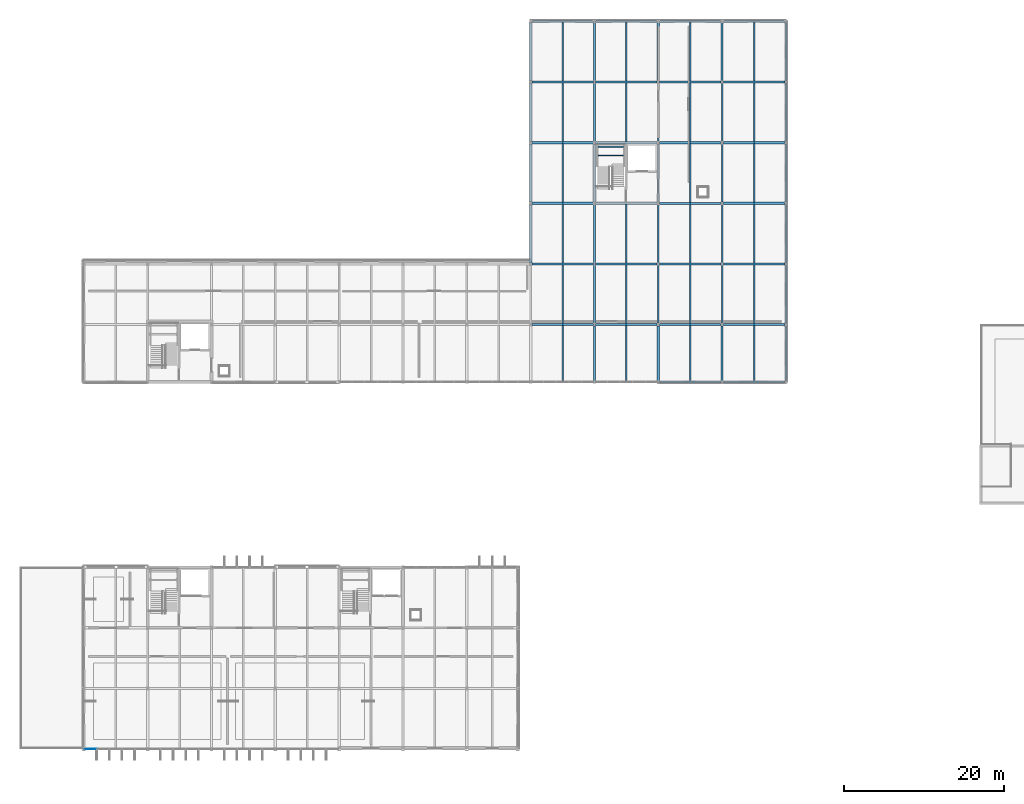
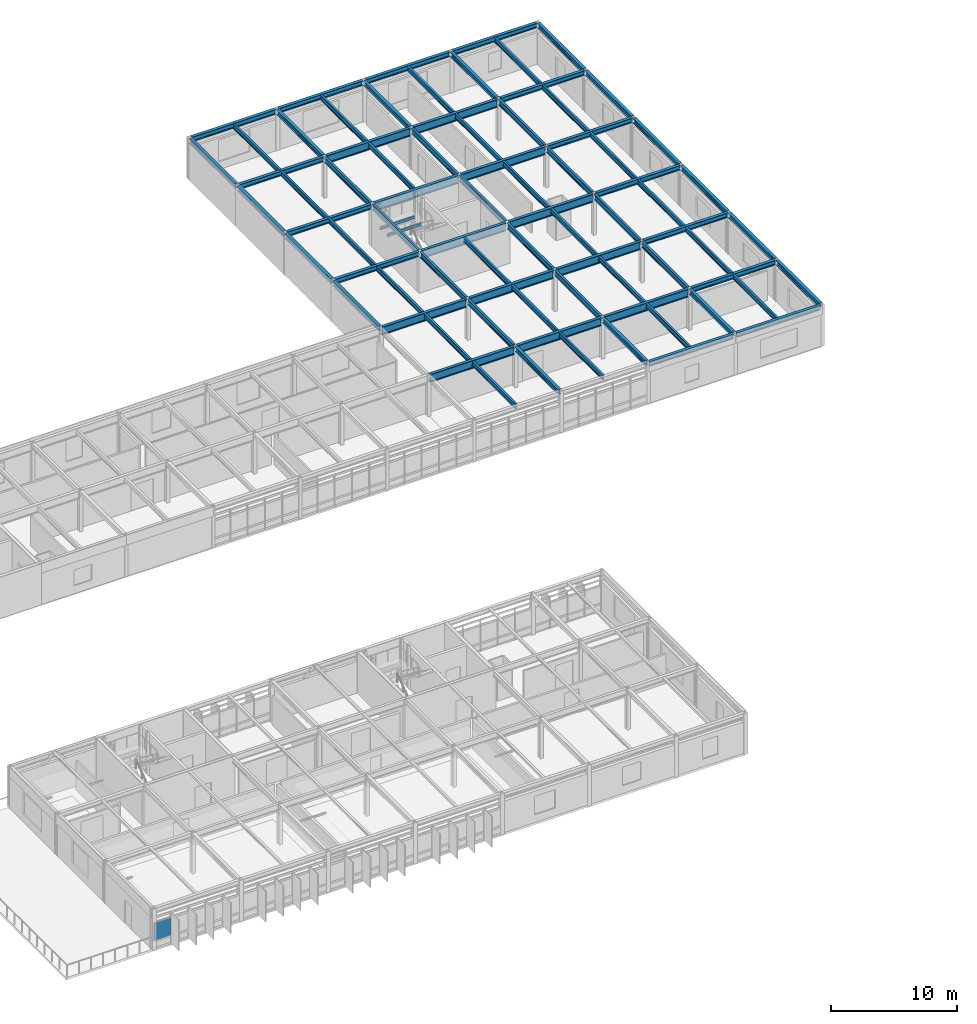
# One storey, part 27 of 45: 79 beams, 1 plate, 1 element without a shape of its own.
"""IFC4 building model written with IfcOpenShell, lengths in metres."""

from ifc_helpers import new_model, si_unit, direction, frame, origin, origin_2d, place, context, subcontext, project, spatial, rectangle, i_section, extrude, material, layer, layer_set, material_profile, profile_set, type_object, element, aggregate, save


model = new_model("IFC4")

# Units and contexts
model_context = context("Model", 3, precision=1e-05, world=origin(), true_north=direction((0.0, 1.0)))
body_context = subcontext(model_context, "Body", "Model", "MODEL_VIEW")
ifc_project = project(units=[si_unit("LENGTHUNIT", "METRE"), si_unit("AREAUNIT", "SQUARE_METRE"), si_unit("VOLUMEUNIT", "CUBIC_METRE"), si_unit("PLANEANGLEUNIT", "RADIAN"), si_unit("MASSUNIT", "GRAM", prefix="KILO")], contexts=[model_context])

# Site, building, storey
site_placement = place(None, origin())
site = spatial("IfcSite", under=ifc_project, at=site_placement, CompositionType="ELEMENT")
building_placement = place(site_placement, origin())
building = spatial("IfcBuilding", under=site, at=building_placement, Name="Zulena Civic Courthouse", CompositionType="ELEMENT")
storey_placement = place(building_placement, frame((0.0, 0.0, 29.39990234375)))
storey = spatial("IfcBuildingStorey", under=building, at=storey_placement, Name="L06", CompositionType="ELEMENT", Elevation=29.39990234375)

# Beams
ifc_material_1 = material(Name="Steel ASTM A992 Grade 50", Category="steel")
ifc_material_profile_1 = material_profile(ifc_material_1, i_section(OverallWidth=0.2099609375, OverallDepth=0.537109375, WebThickness=0.010986328125, FlangeThickness=0.017333984375, FilletRadius=0.0126953125, at=origin_2d()), Name="W21X68")
ifc_profile_set_1 = profile_set([ifc_material_profile_1], Name="Steel ASTM A992 Grade 50")
beam_type_1 = type_object("IfcBeamType", Name="Girder_W21X68", PredefinedType="BEAM", material=ifc_profile_set_1)
beam_1_placement = place(storey_placement, frame((76.0, 53.344970703125, 3.731689453125), z_axis=(0.0, 1.0, 0.0), x_axis=(-1.0, 0.0, 0.0)))
element("IfcBeam", 1, at=beam_1_placement, inside=storey, type_object=beam_type_1, Name="beam:Y:V5:L06:76.0:53.2_60.8", PredefinedType="BEAM", context=body_context, shape_type="SweptSolid", body=[
    extrude(i_section(OverallWidth=0.2099609375, OverallDepth=0.537109375, WebThickness=0.010986328125, FlangeThickness=0.017333984375, FilletRadius=0.0126953125, at=origin_2d()), origin(), (0.0, 0.0, 1.0), 7.31005859375),
])
beam_2_placement = place(storey_placement, frame((76.0, 60.945068359375, 3.731689453125), z_axis=(0.0, 1.0, 0.0), x_axis=(-1.0, 0.0, 0.0)))
element("IfcBeam", 2, at=beam_2_placement, inside=storey, type_object=beam_type_1, Name="beam:Y:V5:L06:76.0:60.8_68.4", PredefinedType="BEAM", context=body_context, shape_type="SweptSolid", body=[
    extrude(i_section(OverallWidth=0.2099609375, OverallDepth=0.537109375, WebThickness=0.010986328125, FlangeThickness=0.017333984375, FilletRadius=0.0126953125, at=origin_2d()), origin(), (0.0, 0.0, 1.0), 7.309814453125),
])
for number, where, z_axis, x_axis, name in (
    (3, (76.0, 68.544921875, 3.731689453125), (0.0, 1.0, 0.0), (-1.0, 0.0, 0.0), "beam:Y:V5:L06:76.0:68.4_76.0"),
    (4, (76.0, 76.14501953125, 3.731689453125), (0.0, 1.0, 0.0), (-1.0, 0.0, 0.0), "beam:Y:V5:L06:76.0:76.0_83.6"),
    (5, (84.0, 53.344970703125, 3.731689453125), (0.0, 1.0, 0.0), (-1.0, 0.0, 0.0), "beam:Y:V5:L06:84.0:53.2_60.8"),
):
    element("IfcBeam", number, at=place(storey_placement, frame(where, z_axis=z_axis, x_axis=x_axis)), inside=storey, type_object=beam_type_1, Name=name, PredefinedType="BEAM", context=body_context, shape_type="SweptSolid", body=[
        extrude(i_section(OverallWidth=0.2099609375, OverallDepth=0.537109375, WebThickness=0.010986328125, FlangeThickness=0.017333984375, FilletRadius=0.0126953125, at=origin_2d()), origin(), (0.0, 0.0, 1.0), 7.31005859375),
    ])
beam_3_placement = place(storey_placement, frame((84.0, 60.945068359375, 3.731689453125), z_axis=(0.0, 1.0, 0.0), x_axis=(-1.0, 0.0, 0.0)))
element("IfcBeam", 6, at=beam_3_placement, inside=storey, type_object=beam_type_1, Name="beam:Y:V5:L06:84.0:60.8_68.4", PredefinedType="BEAM", context=body_context, shape_type="SweptSolid", body=[
    extrude(i_section(OverallWidth=0.2099609375, OverallDepth=0.537109375, WebThickness=0.010986328125, FlangeThickness=0.017333984375, FilletRadius=0.0126953125, at=origin_2d()), origin(), (0.0, 0.0, 1.0), 7.309814453125),
])
for number, where, z_axis, x_axis, name in (
    (7, (84.0, 68.544921875, 3.731689453125), (0.0, 1.0, 0.0), (-1.0, 0.0, 0.0), "beam:Y:V5:L06:84.0:68.4_76.0"),
    (8, (84.0, 76.14501953125, 3.731689453125), (0.0, 1.0, 0.0), (-1.0, 0.0, 0.0), "beam:Y:V5:L06:84.0:76.0_83.6"),
    (9, (92.0, 53.344970703125, 3.731689453125), (0.0, 1.0, 0.0), (-1.0, 0.0, 0.0), "beam:Y:V5:L06:92.0:53.2_60.8"),
):
    element("IfcBeam", number, at=place(storey_placement, frame(where, z_axis=z_axis, x_axis=x_axis)), inside=storey, type_object=beam_type_1, Name=name, PredefinedType="BEAM", context=body_context, shape_type="SweptSolid", body=[
        extrude(i_section(OverallWidth=0.2099609375, OverallDepth=0.537109375, WebThickness=0.010986328125, FlangeThickness=0.017333984375, FilletRadius=0.0126953125, at=origin_2d()), origin(), (0.0, 0.0, 1.0), 7.31005859375),
    ])
beam_4_placement = place(storey_placement, frame((92.0, 60.945068359375, 3.731689453125), z_axis=(0.0, 1.0, 0.0), x_axis=(-1.0, 0.0, 0.0)))
element("IfcBeam", 10, at=beam_4_placement, inside=storey, type_object=beam_type_1, Name="beam:Y:V5:L06:92.0:60.8_68.4", PredefinedType="BEAM", context=body_context, shape_type="SweptSolid", body=[
    extrude(i_section(OverallWidth=0.2099609375, OverallDepth=0.537109375, WebThickness=0.010986328125, FlangeThickness=0.017333984375, FilletRadius=0.0126953125, at=origin_2d()), origin(), (0.0, 0.0, 1.0), 7.309814453125),
])
for number, where, z_axis, x_axis, name in (
    (11, (92.0, 68.544921875, 3.731689453125), (0.0, 1.0, 0.0), (-1.0, 0.0, 0.0), "beam:Y:V5:L06:92.0:68.4_76.0"),
    (12, (92.0, 76.14501953125, 3.731689453125), (0.0, 1.0, 0.0), (-1.0, 0.0, 0.0), "beam:Y:V5:L06:92.0:76.0_83.6"),
):
    element("IfcBeam", number, at=place(storey_placement, frame(where, z_axis=z_axis, x_axis=x_axis)), inside=storey, type_object=beam_type_1, Name=name, PredefinedType="BEAM", context=body_context, shape_type="SweptSolid", body=[
        extrude(i_section(OverallWidth=0.2099609375, OverallDepth=0.537109375, WebThickness=0.010986328125, FlangeThickness=0.017333984375, FilletRadius=0.0126953125, at=origin_2d()), origin(), (0.0, 0.0, 1.0), 7.31005859375),
    ])
ifc_material_profile_2 = material_profile(ifc_material_1, i_section(OverallWidth=0.26611328125, OverallDepth=0.779052734375, WebThickness=0.0166015625, FlangeThickness=0.030029296875, FilletRadius=0.0166015625, at=origin_2d()), Name="W30X148")
ifc_profile_set_2 = profile_set([ifc_material_profile_2], Name="Steel ASTM A992 Grade 50")
beam_type_2 = type_object("IfcBeamType", Name="Girder_W30X148", PredefinedType="BEAM", material=ifc_profile_set_2)
for number, where, z_axis, x_axis, name in (
    (13, (68.14501953125, 53.199951171875, 3.610595703125), (1.0, 0.0, 0.0), (0.0, 1.0, 0.0), "beam:X:V5:L06:53.2:68.0_76.0"),
    (14, (76.14501953125, 53.199951171875, 3.610595703125), (1.0, 0.0, 0.0), (0.0, 1.0, 0.0), "beam:X:V5:L06:53.2:76.0_84.0"),
    (15, (84.14501953125, 53.199951171875, 3.610595703125), (1.0, 0.0, 0.0), (0.0, 1.0, 0.0), "beam:X:V5:L06:53.2:84.0_92.0"),
    (16, (68.14501953125, 60.800048828125, 3.610595703125), (1.0, 0.0, 0.0), (0.0, 1.0, 0.0), "beam:X:V5:L06:60.8:68.0_76.0"),
    (17, (76.14501953125, 60.800048828125, 3.610595703125), (1.0, 0.0, 0.0), (0.0, 1.0, 0.0), "beam:X:V5:L06:60.8:76.0_84.0"),
    (18, (84.14501953125, 60.800048828125, 3.610595703125), (1.0, 0.0, 0.0), (0.0, 1.0, 0.0), "beam:X:V5:L06:60.8:84.0_92.0"),
    (19, (76.14501953125, 68.39990234375, 3.610595703125), (1.0, 0.0, 0.0), (0.0, 1.0, 0.0), "beam:X:V5:L06:68.4:76.0_84.0"),
    (20, (84.14501953125, 68.39990234375, 3.610595703125), (1.0, 0.0, 0.0), (0.0, 1.0, 0.0), "beam:X:V5:L06:68.4:84.0_92.0"),
    (21, (76.14501953125, 76.0, 3.610595703125), (1.0, 0.0, 0.0), (0.0, 1.0, 0.0), "beam:X:V5:L06:76.0:76.0_84.0"),
    (22, (84.14501953125, 76.0, 3.610595703125), (1.0, 0.0, 0.0), (0.0, 1.0, 0.0), "beam:X:V5:L06:76.0:84.0_92.0"),
    (23, (76.14501953125, 83.60009765625, 3.610595703125), (1.0, 0.0, 0.0), (0.0, 1.0, 0.0), "beam:X:V5:L06:83.6:76.0_84.0"),
    (24, (84.14501953125, 83.60009765625, 3.610595703125), (1.0, 0.0, 0.0), (0.0, 1.0, 0.0), "beam:X:V5:L06:83.6:84.0_92.0"),
):
    element("IfcBeam", number, at=place(storey_placement, frame(where, z_axis=z_axis, x_axis=x_axis)), inside=storey, type_object=beam_type_2, Name=name, PredefinedType="BEAM", context=body_context, shape_type="SweptSolid", body=[
        extrude(i_section(OverallWidth=0.26611328125, OverallDepth=0.779052734375, WebThickness=0.0166015625, FlangeThickness=0.030029296875, FilletRadius=0.0166015625, at=origin_2d()), origin(), (0.0, 0.0, 1.0), 7.7099609375),
    ])
ifc_material_profile_3 = material_profile(ifc_material_1, i_section(OverallWidth=0.14599609375, OverallDepth=0.258056640625, WebThickness=0.006103515625, FlangeThickness=0.009033203125, FilletRadius=0.007568359375, at=origin_2d()), Name="W10X22")
ifc_profile_set_3 = profile_set([ifc_material_profile_3], Name="Steel ASTM A992 Grade 50")
beam_type_3 = type_object("IfcBeamType", Name="Joist_W10X22", PredefinedType="JOIST", material=ifc_profile_set_3)
for number, where, z_axis, x_axis, name in (
    (25, (76.419921875, 74.39990234375, 1.691162109375), (1.0, 0.0, 0.0), (0.0, 1.0, 0.0), "beam:lnd:K5B:L06:0"),
    (26, (76.419921875, 75.5, 1.691162109375), (1.0, 0.0, 0.0), (0.0, 1.0, 0.0), "beam:lnd:K5B:L06:1"),
):
    element("IfcBeam", number, at=place(storey_placement, frame(where, z_axis=z_axis, x_axis=x_axis)), inside=storey, type_object=beam_type_3, Name=name, PredefinedType="JOIST", context=body_context, shape_type="SweptSolid", body=[
        extrude(i_section(OverallWidth=0.14599609375, OverallDepth=0.258056640625, WebThickness=0.006103515625, FlangeThickness=0.009033203125, FilletRadius=0.007568359375, at=origin_2d()), origin(), (0.0, 0.0, 1.0), 3.2001953125),
    ])
ifc_material_profile_4 = material_profile(ifc_material_1, i_section(OverallWidth=0.19091796875, OverallDepth=0.4599609375, WebThickness=0.010009765625, FlangeThickness=0.01611328125, FilletRadius=0.01025390625, at=origin_2d()), Name="W18X55")
ifc_profile_set_4 = profile_set([ifc_material_profile_4], Name="Steel ASTM A992 Grade 50")
beam_type_4 = type_object("IfcBeamType", Name="Joist_W18X55", PredefinedType="JOIST", material=ifc_profile_set_4)
beam_5_placement = place(storey_placement, frame((72.0, 46.10498046875, 3.77001953125), z_axis=(0.0, 1.0, 0.0), x_axis=(-1.0, 0.0, 0.0)))
element("IfcBeam", 27, at=beam_5_placement, inside=storey, type_object=beam_type_4, Name="joist:V5:L06:72.00:46.0_53.2", PredefinedType="JOIST", context=body_context, shape_type="SweptSolid", body=[
    extrude(i_section(OverallWidth=0.19091796875, OverallDepth=0.4599609375, WebThickness=0.010009765625, FlangeThickness=0.01611328125, FilletRadius=0.01025390625, at=origin_2d()), origin(), (0.0, 0.0, 1.0), 6.989990234375),
])
beam_6_placement = place(storey_placement, frame((72.0, 53.304931640625, 3.77001953125), z_axis=(0.0, 1.0, 0.0), x_axis=(-1.0, 0.0, 0.0)))
element("IfcBeam", 28, at=beam_6_placement, inside=storey, type_object=beam_type_4, Name="joist:V5:L06:72.00:53.2_60.8", PredefinedType="JOIST", context=body_context, shape_type="SweptSolid", body=[
    extrude(i_section(OverallWidth=0.19091796875, OverallDepth=0.4599609375, WebThickness=0.010009765625, FlangeThickness=0.01611328125, FilletRadius=0.01025390625, at=origin_2d()), origin(), (0.0, 0.0, 1.0), 7.39013671875),
])
beam_7_placement = place(storey_placement, frame((72.0, 60.905029296875, 3.77001953125), z_axis=(0.0, 1.0, 0.0), x_axis=(-1.0, 0.0, 0.0)))
element("IfcBeam", 29, at=beam_7_placement, inside=storey, type_object=beam_type_4, Name="joist:V5:L06:72.00:60.8_68.4", PredefinedType="JOIST", context=body_context, shape_type="SweptSolid", body=[
    extrude(i_section(OverallWidth=0.19091796875, OverallDepth=0.4599609375, WebThickness=0.010009765625, FlangeThickness=0.01611328125, FilletRadius=0.01025390625, at=origin_2d()), origin(), (0.0, 0.0, 1.0), 7.389892578125),
])
for number, where, z_axis, x_axis, name in (
    (30, (72.0, 68.5048828125, 3.77001953125), (0.0, 1.0, 0.0), (-1.0, 0.0, 0.0), "joist:V5:L06:72.00:68.4_76.0"),
    (31, (72.0, 76.10498046875, 3.77001953125), (0.0, 1.0, 0.0), (-1.0, 0.0, 0.0), "joist:V5:L06:72.00:76.0_83.6"),
):
    element("IfcBeam", number, at=place(storey_placement, frame(where, z_axis=z_axis, x_axis=x_axis)), inside=storey, type_object=beam_type_4, Name=name, PredefinedType="JOIST", context=body_context, shape_type="SweptSolid", body=[
        extrude(i_section(OverallWidth=0.19091796875, OverallDepth=0.4599609375, WebThickness=0.010009765625, FlangeThickness=0.01611328125, FilletRadius=0.01025390625, at=origin_2d()), origin(), (0.0, 0.0, 1.0), 7.39013671875),
    ])
beam_8_placement = place(storey_placement, frame((72.0, 83.705078125, 3.77001953125), z_axis=(0.0, 1.0, 0.0), x_axis=(-1.0, 0.0, 0.0)))
element("IfcBeam", 32, at=beam_8_placement, inside=storey, type_object=beam_type_4, Name="joist:V5:L06:72.00:83.6_91.2", PredefinedType="JOIST", context=body_context, shape_type="SweptSolid", body=[
    extrude(i_section(OverallWidth=0.19091796875, OverallDepth=0.4599609375, WebThickness=0.010009765625, FlangeThickness=0.01611328125, FilletRadius=0.01025390625, at=origin_2d()), origin(), (0.0, 0.0, 1.0), 7.389892578125),
])
beam_9_placement = place(storey_placement, frame((80.0, 46.10498046875, 3.77001953125), z_axis=(0.0, 1.0, 0.0), x_axis=(-1.0, 0.0, 0.0)))
element("IfcBeam", 33, at=beam_9_placement, inside=storey, type_object=beam_type_4, Name="joist:V5:L06:80.00:46.0_53.2", PredefinedType="JOIST", context=body_context, shape_type="SweptSolid", body=[
    extrude(i_section(OverallWidth=0.19091796875, OverallDepth=0.4599609375, WebThickness=0.010009765625, FlangeThickness=0.01611328125, FilletRadius=0.01025390625, at=origin_2d()), origin(), (0.0, 0.0, 1.0), 6.989990234375),
])
beam_10_placement = place(storey_placement, frame((80.0, 53.304931640625, 3.77001953125), z_axis=(0.0, 1.0, 0.0), x_axis=(-1.0, 0.0, 0.0)))
element("IfcBeam", 34, at=beam_10_placement, inside=storey, type_object=beam_type_4, Name="joist:V5:L06:80.00:53.2_60.8", PredefinedType="JOIST", context=body_context, shape_type="SweptSolid", body=[
    extrude(i_section(OverallWidth=0.19091796875, OverallDepth=0.4599609375, WebThickness=0.010009765625, FlangeThickness=0.01611328125, FilletRadius=0.01025390625, at=origin_2d()), origin(), (0.0, 0.0, 1.0), 7.39013671875),
])
beam_11_placement = place(storey_placement, frame((80.0, 60.905029296875, 3.77001953125), z_axis=(0.0, 1.0, 0.0), x_axis=(-1.0, 0.0, 0.0)))
element("IfcBeam", 35, at=beam_11_placement, inside=storey, type_object=beam_type_4, Name="joist:V5:L06:80.00:60.8_68.4", PredefinedType="JOIST", context=body_context, shape_type="SweptSolid", body=[
    extrude(i_section(OverallWidth=0.19091796875, OverallDepth=0.4599609375, WebThickness=0.010009765625, FlangeThickness=0.01611328125, FilletRadius=0.01025390625, at=origin_2d()), origin(), (0.0, 0.0, 1.0), 7.389892578125),
])
beam_12_placement = place(storey_placement, frame((80.0, 76.10498046875, 3.77001953125), z_axis=(0.0, 1.0, 0.0), x_axis=(-1.0, 0.0, 0.0)))
element("IfcBeam", 36, at=beam_12_placement, inside=storey, type_object=beam_type_4, Name="joist:V5:L06:80.00:76.0_83.6", PredefinedType="JOIST", context=body_context, shape_type="SweptSolid", body=[
    extrude(i_section(OverallWidth=0.19091796875, OverallDepth=0.4599609375, WebThickness=0.010009765625, FlangeThickness=0.01611328125, FilletRadius=0.01025390625, at=origin_2d()), origin(), (0.0, 0.0, 1.0), 7.39013671875),
])
beam_13_placement = place(storey_placement, frame((80.0, 83.705078125, 3.77001953125), z_axis=(0.0, 1.0, 0.0), x_axis=(-1.0, 0.0, 0.0)))
element("IfcBeam", 37, at=beam_13_placement, inside=storey, type_object=beam_type_4, Name="joist:V5:L06:80.00:83.6_91.2", PredefinedType="JOIST", context=body_context, shape_type="SweptSolid", body=[
    extrude(i_section(OverallWidth=0.19091796875, OverallDepth=0.4599609375, WebThickness=0.010009765625, FlangeThickness=0.01611328125, FilletRadius=0.01025390625, at=origin_2d()), origin(), (0.0, 0.0, 1.0), 7.389892578125),
])
beam_14_placement = place(storey_placement, frame((88.0, 46.10498046875, 3.77001953125), z_axis=(0.0, 1.0, 0.0), x_axis=(-1.0, 0.0, 0.0)))
element("IfcBeam", 38, at=beam_14_placement, inside=storey, type_object=beam_type_4, Name="joist:V5:L06:88.00:46.0_53.2", PredefinedType="JOIST", context=body_context, shape_type="SweptSolid", body=[
    extrude(i_section(OverallWidth=0.19091796875, OverallDepth=0.4599609375, WebThickness=0.010009765625, FlangeThickness=0.01611328125, FilletRadius=0.01025390625, at=origin_2d()), origin(), (0.0, 0.0, 1.0), 6.989990234375),
])
beam_15_placement = place(storey_placement, frame((88.0, 53.304931640625, 3.77001953125), z_axis=(0.0, 1.0, 0.0), x_axis=(-1.0, 0.0, 0.0)))
element("IfcBeam", 39, at=beam_15_placement, inside=storey, type_object=beam_type_4, Name="joist:V5:L06:88.00:53.2_60.8", PredefinedType="JOIST", context=body_context, shape_type="SweptSolid", body=[
    extrude(i_section(OverallWidth=0.19091796875, OverallDepth=0.4599609375, WebThickness=0.010009765625, FlangeThickness=0.01611328125, FilletRadius=0.01025390625, at=origin_2d()), origin(), (0.0, 0.0, 1.0), 7.39013671875),
])
beam_16_placement = place(storey_placement, frame((88.0, 60.905029296875, 3.77001953125), z_axis=(0.0, 1.0, 0.0), x_axis=(-1.0, 0.0, 0.0)))
element("IfcBeam", 40, at=beam_16_placement, inside=storey, type_object=beam_type_4, Name="joist:V5:L06:88.00:60.8_68.4", PredefinedType="JOIST", context=body_context, shape_type="SweptSolid", body=[
    extrude(i_section(OverallWidth=0.19091796875, OverallDepth=0.4599609375, WebThickness=0.010009765625, FlangeThickness=0.01611328125, FilletRadius=0.01025390625, at=origin_2d()), origin(), (0.0, 0.0, 1.0), 7.389892578125),
])
for number, where, z_axis, x_axis, name in (
    (41, (88.0, 68.5048828125, 3.77001953125), (0.0, 1.0, 0.0), (-1.0, 0.0, 0.0), "joist:V5:L06:88.00:68.4_76.0"),
    (42, (88.0, 76.10498046875, 3.77001953125), (0.0, 1.0, 0.0), (-1.0, 0.0, 0.0), "joist:V5:L06:88.00:76.0_83.6"),
):
    element("IfcBeam", number, at=place(storey_placement, frame(where, z_axis=z_axis, x_axis=x_axis)), inside=storey, type_object=beam_type_4, Name=name, PredefinedType="JOIST", context=body_context, shape_type="SweptSolid", body=[
        extrude(i_section(OverallWidth=0.19091796875, OverallDepth=0.4599609375, WebThickness=0.010009765625, FlangeThickness=0.01611328125, FilletRadius=0.01025390625, at=origin_2d()), origin(), (0.0, 0.0, 1.0), 7.39013671875),
    ])
beam_17_placement = place(storey_placement, frame((88.0, 83.705078125, 3.77001953125), z_axis=(0.0, 1.0, 0.0), x_axis=(-1.0, 0.0, 0.0)))
element("IfcBeam", 43, at=beam_17_placement, inside=storey, type_object=beam_type_4, Name="joist:V5:L06:88.00:83.6_91.2", PredefinedType="JOIST", context=body_context, shape_type="SweptSolid", body=[
    extrude(i_section(OverallWidth=0.19091796875, OverallDepth=0.4599609375, WebThickness=0.010009765625, FlangeThickness=0.01611328125, FilletRadius=0.01025390625, at=origin_2d()), origin(), (0.0, 0.0, 1.0), 7.389892578125),
])
beam_18_placement = place(storey_placement, frame((96.0, 46.10498046875, 3.77001953125), z_axis=(0.0, 1.0, 0.0), x_axis=(-1.0, 0.0, 0.0)))
element("IfcBeam", 44, at=beam_18_placement, inside=storey, type_object=beam_type_4, Name="joist:V5:L06:96.00:46.0_53.2", PredefinedType="JOIST", context=body_context, shape_type="SweptSolid", body=[
    extrude(i_section(OverallWidth=0.19091796875, OverallDepth=0.4599609375, WebThickness=0.010009765625, FlangeThickness=0.01611328125, FilletRadius=0.01025390625, at=origin_2d()), origin(), (0.0, 0.0, 1.0), 6.989990234375),
])
beam_19_placement = place(storey_placement, frame((96.0, 53.304931640625, 3.77001953125), z_axis=(0.0, 1.0, 0.0), x_axis=(-1.0, 0.0, 0.0)))
element("IfcBeam", 45, at=beam_19_placement, inside=storey, type_object=beam_type_4, Name="joist:V5:L06:96.00:53.2_60.8", PredefinedType="JOIST", context=body_context, shape_type="SweptSolid", body=[
    extrude(i_section(OverallWidth=0.19091796875, OverallDepth=0.4599609375, WebThickness=0.010009765625, FlangeThickness=0.01611328125, FilletRadius=0.01025390625, at=origin_2d()), origin(), (0.0, 0.0, 1.0), 7.39013671875),
])
beam_20_placement = place(storey_placement, frame((96.0, 60.905029296875, 3.77001953125), z_axis=(0.0, 1.0, 0.0), x_axis=(-1.0, 0.0, 0.0)))
element("IfcBeam", 46, at=beam_20_placement, inside=storey, type_object=beam_type_4, Name="joist:V5:L06:96.00:60.8_68.4", PredefinedType="JOIST", context=body_context, shape_type="SweptSolid", body=[
    extrude(i_section(OverallWidth=0.19091796875, OverallDepth=0.4599609375, WebThickness=0.010009765625, FlangeThickness=0.01611328125, FilletRadius=0.01025390625, at=origin_2d()), origin(), (0.0, 0.0, 1.0), 7.389892578125),
])
for number, where, z_axis, x_axis, name in (
    (47, (96.0, 68.5048828125, 3.77001953125), (0.0, 1.0, 0.0), (-1.0, 0.0, 0.0), "joist:V5:L06:96.00:68.4_76.0"),
    (48, (96.0, 76.10498046875, 3.77001953125), (0.0, 1.0, 0.0), (-1.0, 0.0, 0.0), "joist:V5:L06:96.00:76.0_83.6"),
):
    element("IfcBeam", number, at=place(storey_placement, frame(where, z_axis=z_axis, x_axis=x_axis)), inside=storey, type_object=beam_type_4, Name=name, PredefinedType="JOIST", context=body_context, shape_type="SweptSolid", body=[
        extrude(i_section(OverallWidth=0.19091796875, OverallDepth=0.4599609375, WebThickness=0.010009765625, FlangeThickness=0.01611328125, FilletRadius=0.01025390625, at=origin_2d()), origin(), (0.0, 0.0, 1.0), 7.39013671875),
    ])
beam_21_placement = place(storey_placement, frame((96.0, 83.705078125, 3.77001953125), z_axis=(0.0, 1.0, 0.0), x_axis=(-1.0, 0.0, 0.0)))
element("IfcBeam", 49, at=beam_21_placement, inside=storey, type_object=beam_type_4, Name="joist:V5:L06:96.00:83.6_91.2", PredefinedType="JOIST", context=body_context, shape_type="SweptSolid", body=[
    extrude(i_section(OverallWidth=0.19091796875, OverallDepth=0.4599609375, WebThickness=0.010009765625, FlangeThickness=0.01611328125, FilletRadius=0.01025390625, at=origin_2d()), origin(), (0.0, 0.0, 1.0), 7.389892578125),
])
ifc_material_profile_5 = material_profile(ifc_material_1, i_section(OverallWidth=0.280029296875, OverallDepth=0.462890625, WebThickness=0.0107421875, FlangeThickness=0.017333984375, FilletRadius=0.01025390625, at=origin_2d()), Name="W18X76")
ifc_profile_set_5 = profile_set([ifc_material_profile_5], Name="Steel ASTM A992 Grade 50")
beam_type_5 = type_object("IfcBeamType", Name="Spandrel_W18X76", PredefinedType="SPANDREL", material=ifc_profile_set_5)
for number, where, z_axis, x_axis, name in (
    (50, (84.14501953125, 46.0, 3.7685546875), (1.0, 0.0, 0.0), (0.0, 1.0, 0.0), "beam:X:V5:L06:46.0:84.0_92.0"),
    (51, (92.14501953125, 46.0, 3.7685546875), (1.0, 0.0, 0.0), (0.0, 1.0, 0.0), "beam:X:V5:L06:46.0:92.0_100.0"),
    (52, (92.14501953125, 53.199951171875, 3.7685546875), (1.0, 0.0, 0.0), (0.0, 1.0, 0.0), "beam:X:V5:L06:53.2:92.0_100.0"),
    (53, (92.14501953125, 60.800048828125, 3.7685546875), (1.0, 0.0, 0.0), (0.0, 1.0, 0.0), "beam:X:V5:L06:60.8:92.0_100.0"),
    (54, (68.14501953125, 68.39990234375, 3.7685546875), (1.0, 0.0, 0.0), (0.0, 1.0, 0.0), "beam:X:V5:L06:68.4:68.0_76.0"),
    (55, (92.14501953125, 68.39990234375, 3.7685546875), (1.0, 0.0, 0.0), (0.0, 1.0, 0.0), "beam:X:V5:L06:68.4:92.0_100.0"),
    (56, (68.14501953125, 76.0, 3.7685546875), (1.0, 0.0, 0.0), (0.0, 1.0, 0.0), "beam:X:V5:L06:76.0:68.0_76.0"),
    (57, (92.14501953125, 76.0, 3.7685546875), (1.0, 0.0, 0.0), (0.0, 1.0, 0.0), "beam:X:V5:L06:76.0:92.0_100.0"),
    (58, (68.14501953125, 83.60009765625, 3.7685546875), (1.0, 0.0, 0.0), (0.0, 1.0, 0.0), "beam:X:V5:L06:83.6:68.0_76.0"),
    (59, (92.14501953125, 83.60009765625, 3.7685546875), (1.0, 0.0, 0.0), (0.0, 1.0, 0.0), "beam:X:V5:L06:83.6:92.0_100.0"),
    (60, (68.14501953125, 91.199951171875, 3.7685546875), (1.0, 0.0, 0.0), (0.0, 1.0, 0.0), "beam:X:V5:L06:91.2:68.0_76.0"),
    (61, (76.14501953125, 91.199951171875, 3.7685546875), (1.0, 0.0, 0.0), (0.0, 1.0, 0.0), "beam:X:V5:L06:91.2:76.0_84.0"),
    (62, (84.14501953125, 91.199951171875, 3.7685546875), (1.0, 0.0, 0.0), (0.0, 1.0, 0.0), "beam:X:V5:L06:91.2:84.0_92.0"),
    (63, (92.14501953125, 91.199951171875, 3.7685546875), (1.0, 0.0, 0.0), (0.0, 1.0, 0.0), "beam:X:V5:L06:91.2:92.0_100.0"),
):
    element("IfcBeam", number, at=place(storey_placement, frame(where, z_axis=z_axis, x_axis=x_axis)), inside=storey, type_object=beam_type_5, Name=name, PredefinedType="SPANDREL", context=body_context, shape_type="SweptSolid", body=[
        extrude(i_section(OverallWidth=0.280029296875, OverallDepth=0.462890625, WebThickness=0.0107421875, FlangeThickness=0.017333984375, FilletRadius=0.01025390625, at=origin_2d()), origin(), (0.0, 0.0, 1.0), 7.7099609375),
    ])
beam_22_placement = place(storey_placement, frame((68.0, 60.945068359375, 3.7685546875), z_axis=(0.0, 1.0, 0.0), x_axis=(-1.0, 0.0, 0.0)))
element("IfcBeam", 64, at=beam_22_placement, inside=storey, type_object=beam_type_5, Name="beam:Y:V5:L06:68.0:60.8_68.4", PredefinedType="SPANDREL", context=body_context, shape_type="SweptSolid", body=[
    extrude(i_section(OverallWidth=0.280029296875, OverallDepth=0.462890625, WebThickness=0.0107421875, FlangeThickness=0.017333984375, FilletRadius=0.01025390625, at=origin_2d()), origin(), (0.0, 0.0, 1.0), 7.309814453125),
])
for number, where, z_axis, x_axis, name in (
    (65, (68.0, 68.544921875, 3.7685546875), (0.0, 1.0, 0.0), (-1.0, 0.0, 0.0), "beam:Y:V5:L06:68.0:68.4_76.0"),
    (66, (68.0, 76.14501953125, 3.7685546875), (0.0, 1.0, 0.0), (-1.0, 0.0, 0.0), "beam:Y:V5:L06:68.0:76.0_83.6"),
):
    element("IfcBeam", number, at=place(storey_placement, frame(where, z_axis=z_axis, x_axis=x_axis)), inside=storey, type_object=beam_type_5, Name=name, PredefinedType="SPANDREL", context=body_context, shape_type="SweptSolid", body=[
        extrude(i_section(OverallWidth=0.280029296875, OverallDepth=0.462890625, WebThickness=0.0107421875, FlangeThickness=0.017333984375, FilletRadius=0.01025390625, at=origin_2d()), origin(), (0.0, 0.0, 1.0), 7.31005859375),
    ])
beam_23_placement = place(storey_placement, frame((68.0, 83.7451171875, 3.7685546875), z_axis=(0.0, 1.0, 0.0), x_axis=(-1.0, 0.0, 0.0)))
element("IfcBeam", 67, at=beam_23_placement, inside=storey, type_object=beam_type_5, Name="beam:Y:V5:L06:68.0:83.6_91.2", PredefinedType="SPANDREL", context=body_context, shape_type="SweptSolid", body=[
    extrude(i_section(OverallWidth=0.280029296875, OverallDepth=0.462890625, WebThickness=0.0107421875, FlangeThickness=0.017333984375, FilletRadius=0.01025390625, at=origin_2d()), origin(), (0.0, 0.0, 1.0), 7.309814453125),
])
beam_24_placement = place(storey_placement, frame((76.0, 46.14501953125, 3.7685546875), z_axis=(0.0, 1.0, 0.0), x_axis=(-1.0, 0.0, 0.0)))
element("IfcBeam", 68, at=beam_24_placement, inside=storey, type_object=beam_type_5, Name="beam:Y:V5:L06:76.0:46.0_53.2", PredefinedType="SPANDREL", context=body_context, shape_type="SweptSolid", body=[
    extrude(i_section(OverallWidth=0.280029296875, OverallDepth=0.462890625, WebThickness=0.0107421875, FlangeThickness=0.017333984375, FilletRadius=0.01025390625, at=origin_2d()), origin(), (0.0, 0.0, 1.0), 6.909912109375),
])
beam_25_placement = place(storey_placement, frame((76.0, 83.7451171875, 3.7685546875), z_axis=(0.0, 1.0, 0.0), x_axis=(-1.0, 0.0, 0.0)))
element("IfcBeam", 69, at=beam_25_placement, inside=storey, type_object=beam_type_5, Name="beam:Y:V5:L06:76.0:83.6_91.2", PredefinedType="SPANDREL", context=body_context, shape_type="SweptSolid", body=[
    extrude(i_section(OverallWidth=0.280029296875, OverallDepth=0.462890625, WebThickness=0.0107421875, FlangeThickness=0.017333984375, FilletRadius=0.01025390625, at=origin_2d()), origin(), (0.0, 0.0, 1.0), 7.309814453125),
])
beam_26_placement = place(storey_placement, frame((84.0, 46.14501953125, 3.7685546875), z_axis=(0.0, 1.0, 0.0), x_axis=(-1.0, 0.0, 0.0)))
element("IfcBeam", 70, at=beam_26_placement, inside=storey, type_object=beam_type_5, Name="beam:Y:V5:L06:84.0:46.0_53.2", PredefinedType="SPANDREL", context=body_context, shape_type="SweptSolid", body=[
    extrude(i_section(OverallWidth=0.280029296875, OverallDepth=0.462890625, WebThickness=0.0107421875, FlangeThickness=0.017333984375, FilletRadius=0.01025390625, at=origin_2d()), origin(), (0.0, 0.0, 1.0), 6.909912109375),
])
beam_27_placement = place(storey_placement, frame((84.0, 83.7451171875, 3.7685546875), z_axis=(0.0, 1.0, 0.0), x_axis=(-1.0, 0.0, 0.0)))
element("IfcBeam", 71, at=beam_27_placement, inside=storey, type_object=beam_type_5, Name="beam:Y:V5:L06:84.0:83.6_91.2", PredefinedType="SPANDREL", context=body_context, shape_type="SweptSolid", body=[
    extrude(i_section(OverallWidth=0.280029296875, OverallDepth=0.462890625, WebThickness=0.0107421875, FlangeThickness=0.017333984375, FilletRadius=0.01025390625, at=origin_2d()), origin(), (0.0, 0.0, 1.0), 7.309814453125),
])
beam_28_placement = place(storey_placement, frame((92.0, 46.14501953125, 3.7685546875), z_axis=(0.0, 1.0, 0.0), x_axis=(-1.0, 0.0, 0.0)))
element("IfcBeam", 72, at=beam_28_placement, inside=storey, type_object=beam_type_5, Name="beam:Y:V5:L06:92.0:46.0_53.2", PredefinedType="SPANDREL", context=body_context, shape_type="SweptSolid", body=[
    extrude(i_section(OverallWidth=0.280029296875, OverallDepth=0.462890625, WebThickness=0.0107421875, FlangeThickness=0.017333984375, FilletRadius=0.01025390625, at=origin_2d()), origin(), (0.0, 0.0, 1.0), 6.909912109375),
])
beam_29_placement = place(storey_placement, frame((92.0, 83.7451171875, 3.7685546875), z_axis=(0.0, 1.0, 0.0), x_axis=(-1.0, 0.0, 0.0)))
element("IfcBeam", 73, at=beam_29_placement, inside=storey, type_object=beam_type_5, Name="beam:Y:V5:L06:92.0:83.6_91.2", PredefinedType="SPANDREL", context=body_context, shape_type="SweptSolid", body=[
    extrude(i_section(OverallWidth=0.280029296875, OverallDepth=0.462890625, WebThickness=0.0107421875, FlangeThickness=0.017333984375, FilletRadius=0.01025390625, at=origin_2d()), origin(), (0.0, 0.0, 1.0), 7.309814453125),
])
beam_30_placement = place(storey_placement, frame((100.0, 46.14501953125, 3.7685546875), z_axis=(0.0, 1.0, 0.0), x_axis=(-1.0, 0.0, 0.0)))
element("IfcBeam", 74, at=beam_30_placement, inside=storey, type_object=beam_type_5, Name="beam:Y:V5:L06:100.0:46.0_53.2", PredefinedType="SPANDREL", context=body_context, shape_type="SweptSolid", body=[
    extrude(i_section(OverallWidth=0.280029296875, OverallDepth=0.462890625, WebThickness=0.0107421875, FlangeThickness=0.017333984375, FilletRadius=0.01025390625, at=origin_2d()), origin(), (0.0, 0.0, 1.0), 6.909912109375),
])
beam_31_placement = place(storey_placement, frame((100.0, 53.344970703125, 3.7685546875), z_axis=(0.0, 1.0, 0.0), x_axis=(-1.0, 0.0, 0.0)))
element("IfcBeam", 75, at=beam_31_placement, inside=storey, type_object=beam_type_5, Name="beam:Y:V5:L06:100.0:53.2_60.8", PredefinedType="SPANDREL", context=body_context, shape_type="SweptSolid", body=[
    extrude(i_section(OverallWidth=0.280029296875, OverallDepth=0.462890625, WebThickness=0.0107421875, FlangeThickness=0.017333984375, FilletRadius=0.01025390625, at=origin_2d()), origin(), (0.0, 0.0, 1.0), 7.31005859375),
])
beam_32_placement = place(storey_placement, frame((100.0, 60.945068359375, 3.7685546875), z_axis=(0.0, 1.0, 0.0), x_axis=(-1.0, 0.0, 0.0)))
element("IfcBeam", 76, at=beam_32_placement, inside=storey, type_object=beam_type_5, Name="beam:Y:V5:L06:100.0:60.8_68.4", PredefinedType="SPANDREL", context=body_context, shape_type="SweptSolid", body=[
    extrude(i_section(OverallWidth=0.280029296875, OverallDepth=0.462890625, WebThickness=0.0107421875, FlangeThickness=0.017333984375, FilletRadius=0.01025390625, at=origin_2d()), origin(), (0.0, 0.0, 1.0), 7.309814453125),
])
for number, where, z_axis, x_axis, name in (
    (77, (100.0, 68.544921875, 3.7685546875), (0.0, 1.0, 0.0), (-1.0, 0.0, 0.0), "beam:Y:V5:L06:100.0:68.4_76.0"),
    (78, (100.0, 76.14501953125, 3.7685546875), (0.0, 1.0, 0.0), (-1.0, 0.0, 0.0), "beam:Y:V5:L06:100.0:76.0_83.6"),
):
    element("IfcBeam", number, at=place(storey_placement, frame(where, z_axis=z_axis, x_axis=x_axis)), inside=storey, type_object=beam_type_5, Name=name, PredefinedType="SPANDREL", context=body_context, shape_type="SweptSolid", body=[
        extrude(i_section(OverallWidth=0.280029296875, OverallDepth=0.462890625, WebThickness=0.0107421875, FlangeThickness=0.017333984375, FilletRadius=0.01025390625, at=origin_2d()), origin(), (0.0, 0.0, 1.0), 7.31005859375),
    ])
beam_33_placement = place(storey_placement, frame((100.0, 83.7451171875, 3.7685546875), z_axis=(0.0, 1.0, 0.0), x_axis=(-1.0, 0.0, 0.0)))
element("IfcBeam", 79, at=beam_33_placement, inside=storey, type_object=beam_type_5, Name="beam:Y:V5:L06:100.0:83.6_91.2", PredefinedType="SPANDREL", context=body_context, shape_type="SweptSolid", body=[
    extrude(i_section(OverallWidth=0.280029296875, OverallDepth=0.462890625, WebThickness=0.0107421875, FlangeThickness=0.017333984375, FilletRadius=0.01025390625, at=origin_2d()), origin(), (0.0, 0.0, 1.0), 7.309814453125),
])

# Curtain wall, plate
ifc_material_2 = material(Name="Double-silver low-E laminated solar-control glass", Category="glass")
curtain_wall_type = type_object("IfcCurtainWallType", Name="CW_7952x3090", PredefinedType="USERDEFINED", material=ifc_material_2)
curtain_wall_placement = place(storey_placement, origin())
curtain_wall = element("IfcCurtainWall", 80, at=curtain_wall_placement, inside=storey, type_object=curtain_wall_type, Name="cw:V2:L06:3:6", ObjectType="UNITISED CURTAIN WALL", PredefinedType="USERDEFINED")
ifc_layer = layer(ifc_material_2, 0.035888671875)
ifc_layer_set = layer_set([ifc_layer], Name="Double-silver low-E laminated solar-control glass")
plate_type = type_object("IfcPlateType", Name="CWPanel_Vision_36", PredefinedType="CURTAIN_PANEL", material=ifc_layer_set)
plate_placement = place(storey_placement, frame((12.819091796875, 0.0, 0.760009765625), z_axis=(0.0, 0.0, 1.0), x_axis=(-1.0, 0.0, 0.0)))
plate = element("IfcPlate", 81, at=plate_placement, type_object=plate_type, Name="cw:V2:L06:3:6:panV:4", PredefinedType="CURTAIN_PANEL", context=body_context, shape_type="SweptSolid", body=[
    extrude(rectangle(XDim=1.5400390625, YDim=0.035888671875, at=origin_2d()), origin(), (0.0, 0.0, 1.0), 1.77001953125),
])
aggregate(curtain_wall, [plate])

save(model, "model.ifc")
